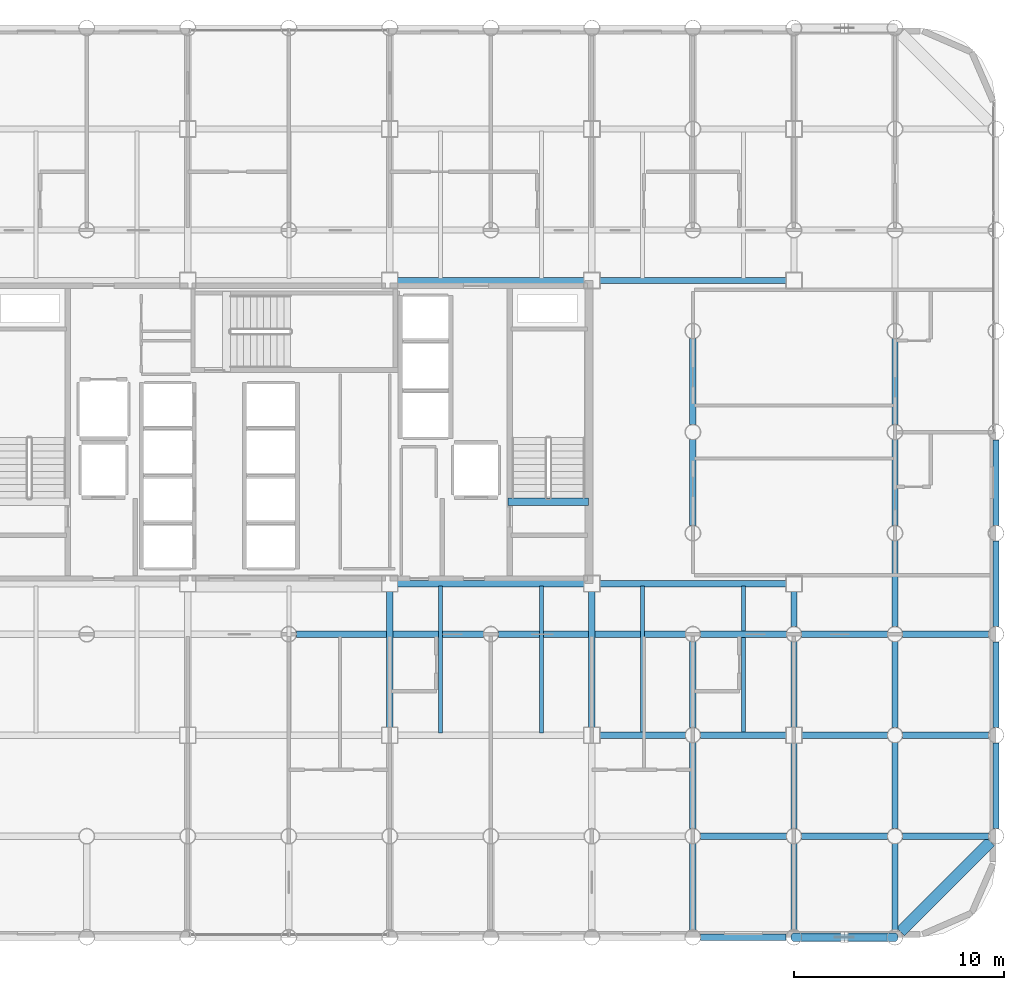
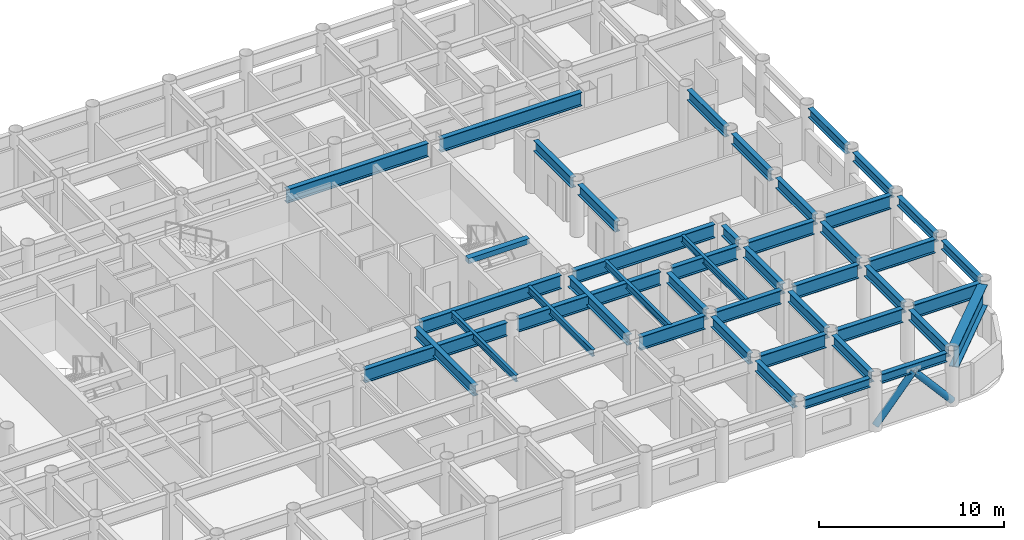
# One storey, part 7 of 20: 45 beams, 2 members.
"""IFC4 building model written with IfcOpenShell, lengths in metres."""

from ifc_helpers import new_model, si_unit, direction, frame, origin, origin_2d, place, context, subcontext, project, spatial, rectangle, hollow_circle, i_section, extrude, material, material_profile, profile_set, type_object, element, save


model = new_model("IFC4")

# Units and contexts
model_context = context("Model", 3, precision=1e-05, world=origin(), true_north=direction((0.0, 1.0)))
body_context = subcontext(model_context, "Body", "Model", "MODEL_VIEW")
ifc_project = project(units=[si_unit("LENGTHUNIT", "METRE"), si_unit("AREAUNIT", "SQUARE_METRE"), si_unit("VOLUMEUNIT", "CUBIC_METRE"), si_unit("PLANEANGLEUNIT", "RADIAN"), si_unit("MASSUNIT", "GRAM", prefix="KILO")], contexts=[model_context])

# Site, building, storey
site_placement = place(None, origin())
site = spatial("IfcSite", under=ifc_project, at=site_placement, CompositionType="ELEMENT")
building_placement = place(site_placement, origin())
building = spatial("IfcBuilding", under=site, at=building_placement, Name="Kallvorn Hotel Tower", CompositionType="ELEMENT")
storey_placement = place(building_placement, frame((0.0, 0.0, 78.10009765625)))
storey = spatial("IfcBuildingStorey", under=building, at=storey_placement, Name="L18", CompositionType="ELEMENT", Elevation=78.10009765625)

# Beams
ifc_material_1 = material(Name="Structural steel S355JR", Category="steel")
ifc_material_profile_1 = material_profile(ifc_material_1, i_section(OverallWidth=0.300048828125, OverallDepth=0.60009765625, WebThickness=0.015380859375, FlangeThickness=0.030029296875, at=origin_2d()), Name="HE 600 B")
ifc_profile_set_1 = profile_set([ifc_material_profile_1], Name="Structural steel S355JR")
beam_type_1 = type_object("IfcBeamType", Name="BM_HE600B", PredefinedType="SPANDREL", material=ifc_profile_set_1)
for number, where, z_axis, x_axis, name in (
    (1, (19.571044921875, -24.0, 3.219970703125), (1.0, 0.0, 0.0), (0.0, 1.0, 0.0), "L19 Perimeter Spandrel 160"),
    (2, (24.37109375, -24.0, 3.219970703125), (1.0, 0.0, 0.0), (0.0, 1.0, 0.0), "L19 Perimeter Spandrel 161"),
):
    element("IfcBeam", number, at=place(storey_placement, frame(where, z_axis=z_axis, x_axis=x_axis)), inside=storey, type_object=beam_type_1, Name=name, PredefinedType="SPANDREL", context=body_context, shape_type="SweptSolid", body=[
        extrude(i_section(OverallWidth=0.300048828125, OverallDepth=0.60009765625, WebThickness=0.015380859375, FlangeThickness=0.030029296875, at=origin_2d()), origin(), (0.0, 0.0, 1.0), 4.057861328125),
    ])
for number, where, z_axis, x_axis, name in (
    (3, (33.60009765625, -18.8291015625, 3.219970703125), (0.0, 1.0, 0.0), (-1.0, 0.0, 0.0), "L19 Perimeter Spandrel 182"),
    (4, (33.60009765625, -14.029052734375, 3.219970703125), (0.0, 1.0, 0.0), (-1.0, 0.0, 0.0), "L19 Perimeter Spandrel 183"),
    (5, (33.60009765625, -9.22900390625, 3.219970703125), (0.0, 1.0, 0.0), (-1.0, 0.0, 0.0), "L19 Perimeter Spandrel 184"),
):
    element("IfcBeam", number, at=place(storey_placement, frame(where, z_axis=z_axis, x_axis=x_axis)), inside=storey, type_object=beam_type_1, Name=name, PredefinedType="SPANDREL", context=body_context, shape_type="SweptSolid", body=[
        extrude(i_section(OverallWidth=0.300048828125, OverallDepth=0.60009765625, WebThickness=0.015380859375, FlangeThickness=0.030029296875, at=origin_2d()), origin(), (0.0, 0.0, 1.0), 4.05810546875),
    ])
beam_1_placement = place(storey_placement, frame((33.60009765625, -4.428955078125, 3.219970703125), z_axis=(0.0, 1.0, 0.0), x_axis=(-1.0, 0.0, 0.0)))
element("IfcBeam", 6, at=beam_1_placement, inside=storey, type_object=beam_type_1, Name="L19 Perimeter Spandrel 185", PredefinedType="SPANDREL", context=body_context, shape_type="SweptSolid", body=[
    extrude(i_section(OverallWidth=0.300048828125, OverallDepth=0.60009765625, WebThickness=0.015380859375, FlangeThickness=0.030029296875, at=origin_2d()), origin(), (0.0, 0.0, 1.0), 4.057861328125),
])
ifc_material_2 = material(Name="Structural steel S355JR", Category="steel")
ifc_material_profile_2 = material_profile(ifc_material_2, i_section(OverallWidth=0.300048828125, OverallDepth=0.699951171875, WebThickness=0.01708984375, FlangeThickness=0.031982421875, at=origin_2d()), Name="HE 700 B")
ifc_profile_set_2 = profile_set([ifc_material_profile_2], Name="Structural steel S355JR")
beam_type_2 = type_object("IfcBeamType", Name="BM_HE700B", PredefinedType="BEAM", material=ifc_profile_set_2)
for number, where, z_axis, x_axis, name in (
    (7, (4.800048828125, -14.02490234375, 3.169921875), (0.0, 1.0, 0.0), (-1.0, 0.0, 0.0), "L19 Primary Y-Girder 115"),
    (8, (14.39990234375, -14.02490234375, 3.169921875), (0.0, 1.0, 0.0), (-1.0, 0.0, 0.0), "L19 Primary Y-Girder 123"),
):
    element("IfcBeam", number, at=place(storey_placement, frame(where, z_axis=z_axis, x_axis=x_axis)), inside=storey, type_object=beam_type_2, Name=name, PredefinedType="BEAM", context=body_context, shape_type="SweptSolid", body=[
        extrude(i_section(OverallWidth=0.300048828125, OverallDepth=0.699951171875, WebThickness=0.01708984375, FlangeThickness=0.031982421875, at=origin_2d()), origin(), (0.0, 0.0, 1.0), 6.449951171875),
    ])
beam_2_placement = place(storey_placement, frame((19.199951171875, -23.64404296875, 3.169921875), z_axis=(0.0, 1.0, 0.0), x_axis=(-1.0, 0.0, 0.0)))
element("IfcBeam", 9, at=beam_2_placement, inside=storey, type_object=beam_type_2, Name="L19 Primary Y-Girder 126", PredefinedType="BEAM", context=body_context, shape_type="SweptSolid", body=[
    extrude(i_section(OverallWidth=0.300048828125, OverallDepth=0.699951171875, WebThickness=0.01708984375, FlangeThickness=0.031982421875, at=origin_2d()), origin(), (0.0, 0.0, 1.0), 4.088134765625),
])
for number, where, z_axis, x_axis, name in (
    (10, (19.199951171875, -18.843994140625, 3.169921875), (0.0, 1.0, 0.0), (-1.0, 0.0, 0.0), "L19 Primary Y-Girder 127"),
    (11, (19.199951171875, -14.0439453125, 3.169921875), (0.0, 1.0, 0.0), (-1.0, 0.0, 0.0), "L19 Primary Y-Girder 128"),
):
    element("IfcBeam", number, at=place(storey_placement, frame(where, z_axis=z_axis, x_axis=x_axis)), inside=storey, type_object=beam_type_2, Name=name, PredefinedType="BEAM", context=body_context, shape_type="SweptSolid", body=[
        extrude(i_section(OverallWidth=0.300048828125, OverallDepth=0.699951171875, WebThickness=0.01708984375, FlangeThickness=0.031982421875, at=origin_2d()), origin(), (0.0, 0.0, 1.0), 4.087890625),
    ])
for number, where, z_axis, x_axis, name in (
    (12, (19.199951171875, -4.444091796875, 3.169921875), (0.0, 1.0, 0.0), (-1.0, 0.0, 0.0), "L19 Primary Y-Girder 130"),
    (13, (19.199951171875, 0.35595703125, 3.169921875), (0.0, 1.0, 0.0), (-1.0, 0.0, 0.0), "L19 Primary Y-Girder 131"),
    (14, (24.0, -23.64404296875, 3.169921875), (0.0, 1.0, 0.0), (-1.0, 0.0, 0.0), "L19 Primary Y-Girder 135"),
):
    element("IfcBeam", number, at=place(storey_placement, frame(where, z_axis=z_axis, x_axis=x_axis)), inside=storey, type_object=beam_type_2, Name=name, PredefinedType="BEAM", context=body_context, shape_type="SweptSolid", body=[
        extrude(i_section(OverallWidth=0.300048828125, OverallDepth=0.699951171875, WebThickness=0.01708984375, FlangeThickness=0.031982421875, at=origin_2d()), origin(), (0.0, 0.0, 1.0), 4.088134765625),
    ])
beam_3_placement = place(storey_placement, frame((24.0, -18.843994140625, 3.169921875), z_axis=(0.0, 1.0, 0.0), x_axis=(-1.0, 0.0, 0.0)))
element("IfcBeam", 15, at=beam_3_placement, inside=storey, type_object=beam_type_2, Name="L19 Primary Y-Girder 136", PredefinedType="BEAM", context=body_context, shape_type="SweptSolid", body=[
    extrude(i_section(OverallWidth=0.300048828125, OverallDepth=0.699951171875, WebThickness=0.01708984375, FlangeThickness=0.031982421875, at=origin_2d()), origin(), (0.0, 0.0, 1.0), 4.069091796875),
])
beam_4_placement = place(storey_placement, frame((24.0, -14.02490234375, 3.169921875), z_axis=(0.0, 1.0, 0.0), x_axis=(-1.0, 0.0, 0.0)))
element("IfcBeam", 16, at=beam_4_placement, inside=storey, type_object=beam_type_2, Name="L19 Primary Y-Girder 137", PredefinedType="BEAM", context=body_context, shape_type="SweptSolid", body=[
    extrude(i_section(OverallWidth=0.300048828125, OverallDepth=0.699951171875, WebThickness=0.01708984375, FlangeThickness=0.031982421875, at=origin_2d()), origin(), (0.0, 0.0, 1.0), 4.06884765625),
])
beam_5_placement = place(storey_placement, frame((24.0, -9.243896484375, 3.169921875), z_axis=(0.0, 1.0, 0.0), x_axis=(-1.0, 0.0, 0.0)))
element("IfcBeam", 17, at=beam_5_placement, inside=storey, type_object=beam_type_2, Name="L19 Primary Y-Girder 138", PredefinedType="BEAM", context=body_context, shape_type="SweptSolid", body=[
    extrude(i_section(OverallWidth=0.300048828125, OverallDepth=0.699951171875, WebThickness=0.01708984375, FlangeThickness=0.031982421875, at=origin_2d()), origin(), (0.0, 0.0, 1.0), 1.6689453125),
])
beam_6_placement = place(storey_placement, frame((28.800048828125, -23.64404296875, 3.169921875), z_axis=(0.0, 1.0, 0.0), x_axis=(-1.0, 0.0, 0.0)))
element("IfcBeam", 18, at=beam_6_placement, inside=storey, type_object=beam_type_2, Name="L19 Primary Y-Girder 142", PredefinedType="BEAM", context=body_context, shape_type="SweptSolid", body=[
    extrude(i_section(OverallWidth=0.300048828125, OverallDepth=0.699951171875, WebThickness=0.01708984375, FlangeThickness=0.031982421875, at=origin_2d()), origin(), (0.0, 0.0, 1.0), 4.088134765625),
])
for number, where, z_axis, x_axis, name in (
    (19, (28.800048828125, -18.843994140625, 3.169921875), (0.0, 1.0, 0.0), (-1.0, 0.0, 0.0), "L19 Primary Y-Girder 143"),
    (20, (28.800048828125, -14.0439453125, 3.169921875), (0.0, 1.0, 0.0), (-1.0, 0.0, 0.0), "L19 Primary Y-Girder 144"),
    (21, (28.800048828125, -9.243896484375, 3.169921875), (0.0, 1.0, 0.0), (-1.0, 0.0, 0.0), "L19 Primary Y-Girder 145"),
):
    element("IfcBeam", number, at=place(storey_placement, frame(where, z_axis=z_axis, x_axis=x_axis)), inside=storey, type_object=beam_type_2, Name=name, PredefinedType="BEAM", context=body_context, shape_type="SweptSolid", body=[
        extrude(i_section(OverallWidth=0.300048828125, OverallDepth=0.699951171875, WebThickness=0.01708984375, FlangeThickness=0.031982421875, at=origin_2d()), origin(), (0.0, 0.0, 1.0), 4.087890625),
    ])
for number, where, z_axis, x_axis, name in (
    (22, (28.800048828125, -4.444091796875, 3.169921875), (0.0, 1.0, 0.0), (-1.0, 0.0, 0.0), "L19 Primary Y-Girder 146"),
    (23, (28.800048828125, 0.35595703125, 3.169921875), (0.0, 1.0, 0.0), (-1.0, 0.0, 0.0), "L19 Primary Y-Girder 147"),
):
    element("IfcBeam", number, at=place(storey_placement, frame(where, z_axis=z_axis, x_axis=x_axis)), inside=storey, type_object=beam_type_2, Name=name, PredefinedType="BEAM", context=body_context, shape_type="SweptSolid", body=[
        extrude(i_section(OverallWidth=0.300048828125, OverallDepth=0.699951171875, WebThickness=0.01708984375, FlangeThickness=0.031982421875, at=origin_2d()), origin(), (0.0, 0.0, 1.0), 4.088134765625),
    ])
ifc_material_3 = material(Name="Structural steel S355JR", Category="steel")
ifc_material_profile_3 = material_profile(ifc_material_3, i_section(OverallWidth=0.300048828125, OverallDepth=0.89990234375, WebThickness=0.0185546875, FlangeThickness=0.034912109375, at=origin_2d()), Name="HE 900 B")
ifc_profile_set_3 = profile_set([ifc_material_profile_3], Name="Structural steel S355JR")
beam_type_3 = type_object("IfcBeamType", Name="BM_HE900B", PredefinedType="BEAM", material=ifc_profile_set_3)
for number, where, z_axis, x_axis, name in (
    (24, (19.555908203125, -19.199951171875, 3.06982421875), (1.0, 0.0, 0.0), (0.0, 1.0, 0.0), "L19 Primary X-Girder 11"),
    (25, (24.35595703125, -19.199951171875, 3.06982421875), (1.0, 0.0, 0.0), (0.0, 1.0, 0.0), "L19 Primary X-Girder 12"),
):
    element("IfcBeam", number, at=place(storey_placement, frame(where, z_axis=z_axis, x_axis=x_axis)), inside=storey, type_object=beam_type_3, Name=name, PredefinedType="BEAM", context=body_context, shape_type="SweptSolid", body=[
        extrude(i_section(OverallWidth=0.300048828125, OverallDepth=0.89990234375, WebThickness=0.0185546875, FlangeThickness=0.034912109375, at=origin_2d()), origin(), (0.0, 0.0, 1.0), 4.088134765625),
    ])
beam_7_placement = place(storey_placement, frame((29.156005859375, -19.199951171875, 3.06982421875), z_axis=(1.0, 0.0, 0.0), x_axis=(0.0, 1.0, 0.0)))
element("IfcBeam", 26, at=beam_7_placement, inside=storey, type_object=beam_type_3, Name="L19 Primary X-Girder 13", PredefinedType="BEAM", context=body_context, shape_type="SweptSolid", body=[
    extrude(i_section(OverallWidth=0.300048828125, OverallDepth=0.89990234375, WebThickness=0.0185546875, FlangeThickness=0.034912109375, at=origin_2d()), origin(), (0.0, 0.0, 1.0), 4.087890625),
])
for number, where, z_axis, x_axis, name in (
    (27, (14.77490234375, -14.39990234375, 3.06982421875), (1.0, 0.0, 0.0), (0.0, 1.0, 0.0), "L19 Primary X-Girder 20"),
    (28, (19.555908203125, -14.39990234375, 3.06982421875), (1.0, 0.0, 0.0), (0.0, 1.0, 0.0), "L19 Primary X-Girder 21"),
    (29, (24.375, -14.39990234375, 3.06982421875), (1.0, 0.0, 0.0), (0.0, 1.0, 0.0), "L19 Primary X-Girder 22"),
):
    element("IfcBeam", number, at=place(storey_placement, frame(where, z_axis=z_axis, x_axis=x_axis)), inside=storey, type_object=beam_type_3, Name=name, PredefinedType="BEAM", context=body_context, shape_type="SweptSolid", body=[
        extrude(i_section(OverallWidth=0.300048828125, OverallDepth=0.89990234375, WebThickness=0.0185546875, FlangeThickness=0.034912109375, at=origin_2d()), origin(), (0.0, 0.0, 1.0), 4.069091796875),
    ])
beam_8_placement = place(storey_placement, frame((29.156005859375, -14.39990234375, 3.06982421875), z_axis=(1.0, 0.0, 0.0), x_axis=(0.0, 1.0, 0.0)))
element("IfcBeam", 30, at=beam_8_placement, inside=storey, type_object=beam_type_3, Name="L19 Primary X-Girder 23", PredefinedType="BEAM", context=body_context, shape_type="SweptSolid", body=[
    extrude(i_section(OverallWidth=0.300048828125, OverallDepth=0.89990234375, WebThickness=0.0185546875, FlangeThickness=0.034912109375, at=origin_2d()), origin(), (0.0, 0.0, 1.0), 4.087890625),
])
for number, where, z_axis, x_axis, name in (
    (31, (0.35595703125, -9.60009765625, 3.06982421875), (1.0, 0.0, 0.0), (0.0, 1.0, 0.0), "L19 Primary X-Girder 28"),
    (32, (9.9560546875, -9.60009765625, 3.06982421875), (1.0, 0.0, 0.0), (0.0, 1.0, 0.0), "L19 Primary X-Girder 29"),
):
    element("IfcBeam", number, at=place(storey_placement, frame(where, z_axis=z_axis, x_axis=x_axis)), inside=storey, type_object=beam_type_3, Name=name, PredefinedType="BEAM", context=body_context, shape_type="SweptSolid", body=[
        extrude(i_section(OverallWidth=0.300048828125, OverallDepth=0.89990234375, WebThickness=0.0185546875, FlangeThickness=0.034912109375, at=origin_2d()), origin(), (0.0, 0.0, 1.0), 8.887939453125),
    ])
for number, where, z_axis, x_axis, name in (
    (33, (19.555908203125, -9.60009765625, 3.06982421875), (1.0, 0.0, 0.0), (0.0, 1.0, 0.0), "L19 Primary X-Girder 30"),
    (34, (24.35595703125, -9.60009765625, 3.06982421875), (1.0, 0.0, 0.0), (0.0, 1.0, 0.0), "L19 Primary X-Girder 31"),
):
    element("IfcBeam", number, at=place(storey_placement, frame(where, z_axis=z_axis, x_axis=x_axis)), inside=storey, type_object=beam_type_3, Name=name, PredefinedType="BEAM", context=body_context, shape_type="SweptSolid", body=[
        extrude(i_section(OverallWidth=0.300048828125, OverallDepth=0.89990234375, WebThickness=0.0185546875, FlangeThickness=0.034912109375, at=origin_2d()), origin(), (0.0, 0.0, 1.0), 4.088134765625),
    ])
beam_9_placement = place(storey_placement, frame((29.156005859375, -9.60009765625, 3.06982421875), z_axis=(1.0, 0.0, 0.0), x_axis=(0.0, 1.0, 0.0)))
element("IfcBeam", 35, at=beam_9_placement, inside=storey, type_object=beam_type_3, Name="L19 Primary X-Girder 32", PredefinedType="BEAM", context=body_context, shape_type="SweptSolid", body=[
    extrude(i_section(OverallWidth=0.300048828125, OverallDepth=0.89990234375, WebThickness=0.0185546875, FlangeThickness=0.034912109375, at=origin_2d()), origin(), (0.0, 0.0, 1.0), 4.087890625),
])
beam_10_placement = place(storey_placement, frame((5.175048828125, -7.199951171875, 3.06982421875), z_axis=(1.0, 0.0, 0.0), x_axis=(0.0, 1.0, 0.0)))
element("IfcBeam", 36, at=beam_10_placement, inside=storey, type_object=beam_type_3, Name="L19 Primary X-Girder 35", PredefinedType="BEAM", context=body_context, shape_type="SweptSolid", body=[
    extrude(i_section(OverallWidth=0.300048828125, OverallDepth=0.89990234375, WebThickness=0.0185546875, FlangeThickness=0.034912109375, at=origin_2d()), origin(), (0.0, 0.0, 1.0), 8.849853515625),
])
beam_11_placement = place(storey_placement, frame((14.77490234375, -7.199951171875, 3.06982421875), z_axis=(1.0, 0.0, 0.0), x_axis=(0.0, 1.0, 0.0)))
element("IfcBeam", 37, at=beam_11_placement, inside=storey, type_object=beam_type_3, Name="L19 Primary X-Girder 36", PredefinedType="BEAM", context=body_context, shape_type="SweptSolid", body=[
    extrude(i_section(OverallWidth=0.300048828125, OverallDepth=0.89990234375, WebThickness=0.0185546875, FlangeThickness=0.034912109375, at=origin_2d()), origin(), (0.0, 0.0, 1.0), 8.85009765625),
])
beam_12_placement = place(storey_placement, frame((5.175048828125, 7.199951171875, 3.06982421875), z_axis=(1.0, 0.0, 0.0), x_axis=(0.0, 1.0, 0.0)))
element("IfcBeam", 38, at=beam_12_placement, inside=storey, type_object=beam_type_3, Name="L19 Primary X-Girder 40", PredefinedType="BEAM", context=body_context, shape_type="SweptSolid", body=[
    extrude(i_section(OverallWidth=0.300048828125, OverallDepth=0.89990234375, WebThickness=0.0185546875, FlangeThickness=0.034912109375, at=origin_2d()), origin(), (0.0, 0.0, 1.0), 8.849853515625),
])
beam_13_placement = place(storey_placement, frame((14.77490234375, 7.199951171875, 3.06982421875), z_axis=(1.0, 0.0, 0.0), x_axis=(0.0, 1.0, 0.0)))
element("IfcBeam", 39, at=beam_13_placement, inside=storey, type_object=beam_type_3, Name="L19 Primary X-Girder 41", PredefinedType="BEAM", context=body_context, shape_type="SweptSolid", body=[
    extrude(i_section(OverallWidth=0.300048828125, OverallDepth=0.89990234375, WebThickness=0.0185546875, FlangeThickness=0.034912109375, at=origin_2d()), origin(), (0.0, 0.0, 1.0), 8.85009765625),
])
ifc_material_4 = material(Name="Structural steel S355JR", Category="steel")
ifc_material_profile_4 = material_profile(ifc_material_4, i_section(OverallWidth=0.18994140625, OverallDepth=0.449951171875, WebThickness=0.009521484375, FlangeThickness=0.0146484375, at=origin_2d()), Name="IPE 450")
ifc_profile_set_4 = profile_set([ifc_material_profile_4], Name="Structural steel S355JR")
beam_type_4 = type_object("IfcBeamType", Name="BM_IPE450", PredefinedType="JOIST", material=ifc_profile_set_4)
for number, where, z_axis, x_axis, name in (
    (40, (7.199951171875, -14.300048828125, 3.294921875), (0.0, 1.0, 0.0), (-1.0, 0.0, 0.0), "L19 Secondary Composite Joist 202"),
    (41, (12.0, -14.300048828125, 3.294921875), (0.0, 1.0, 0.0), (-1.0, 0.0, 0.0), "L19 Secondary Composite Joist 204"),
    (42, (16.800048828125, -14.300048828125, 3.294921875), (0.0, 1.0, 0.0), (-1.0, 0.0, 0.0), "L19 Secondary Composite Joist 206"),
    (43, (21.60009765625, -14.300048828125, 3.294921875), (0.0, 1.0, 0.0), (-1.0, 0.0, 0.0), "L19 Secondary Composite Joist 208"),
):
    element("IfcBeam", number, at=place(storey_placement, frame(where, z_axis=z_axis, x_axis=x_axis)), inside=storey, type_object=beam_type_4, Name=name, PredefinedType="JOIST", context=body_context, shape_type="SweptSolid", body=[
        extrude(i_section(OverallWidth=0.18994140625, OverallDepth=0.449951171875, WebThickness=0.009521484375, FlangeThickness=0.0146484375, at=origin_2d()), origin(), (0.0, 0.0, 1.0), 7.0),
    ])
ifc_material_5 = material(Name="Structural steel S355JR", Category="steel")
ifc_material_profile_5 = material_profile(ifc_material_5, i_section(OverallWidth=0.550048828125, OverallDepth=1.39990234375, WebThickness=0.02490234375, FlangeThickness=0.044921875, at=origin_2d()), Name="PG 1400x550x25x45")
ifc_profile_set_5 = profile_set([ifc_material_profile_5], Name="Structural steel S355JR")
beam_type_5 = type_object("IfcBeamType", Name="BM_PG_1400", PredefinedType="BEAM", material=ifc_profile_set_5)
beam_14_placement = place(storey_placement, frame((33.337646484375, -19.46240234375, 2.81982421875), z_axis=(-0.707106781187, -0.707106781187, 0.0), x_axis=(0.707106781187, -0.707106781187, 0.0)))
element("IfcBeam", 44, at=beam_14_placement, inside=storey, type_object=beam_type_5, Name="L19 Rounded Corner Tie Beam 190", PredefinedType="BEAM", context=body_context, shape_type="SweptSolid", body=[
    extrude(i_section(OverallWidth=0.550048828125, OverallDepth=1.39990234375, WebThickness=0.02490234375, FlangeThickness=0.044921875, at=origin_2d()), origin(), (0.0, 0.0, 1.0), 6.04638671875),
])
ifc_material_6 = material(Name="Concrete C50/60", Category="concrete")
ifc_material_profile_6 = material_profile(ifc_material_6, rectangle(XDim=0.360107421875, YDim=0.340087890625, at=origin_2d()), Name="RC 360x340")
ifc_profile_set_6 = profile_set([ifc_material_profile_6], Name="Concrete C50/60")
beam_type_6 = type_object("IfcBeamType", Name="BM_RC_400x360", PredefinedType="BEAM", material=ifc_profile_set_6)
beam_15_placement = place(storey_placement, frame((14.239990234375, -3.31005859375, 3.349853515625), z_axis=(-1.0, 0.0, 0.0), x_axis=(0.0, -1.0, 0.0)))
element("IfcBeam", 45, at=beam_15_placement, inside=storey, type_object=beam_type_6, Name="L19 Stair ST2 Arrival Trimmer Beam", PredefinedType="BEAM", context=body_context, shape_type="SweptSolid", body=[
    extrude(rectangle(XDim=0.360107421875, YDim=0.340087890625, at=origin_2d()), origin(), (0.0, 0.0, 1.0), 3.820068359375),
])

# Members
ifc_material_7 = material(Name="Structural steel S355J2H", Category="steel")
ifc_material_profile_7 = material_profile(ifc_material_7, hollow_circle(Radius=0.203125, WallThickness=0.01611328125, at=origin_2d()), Name="CHS 406.4x16")
ifc_profile_set_7 = profile_set([ifc_material_profile_7], Name="Structural steel S355J2H")
member_type = type_object("IfcMemberType", Name="MBR_EXO_CHS406", PredefinedType="BRACE", material=ifc_profile_set_7)
for number, where, z_axis, x_axis, name in (
    (46, (24.01318359375, -24.0, 0.195068359375), (0.65346062529, 0.0, 0.756960508346), (0.0, 1.0, 0.0), "L18 Exoskeleton K-Brace S2A"),
    (47, (28.786865234375, -24.0, 0.195068359375), (-0.65346062529, 0.0, 0.756960508346), (0.0, -1.0, 0.0), "L18 Exoskeleton K-Brace S2B"),
):
    element("IfcMember", number, at=place(storey_placement, frame(where, z_axis=z_axis, x_axis=x_axis)), inside=storey, type_object=member_type, Name=name, PredefinedType="BRACE", context=body_context, shape_type="SweptSolid", body=[
        extrude(hollow_circle(Radius=0.203125, WallThickness=0.01611328125, at=origin_2d()), origin(), (0.0, 0.0, 1.0), 3.632568359375),
    ])

save(model, "model.ifc")
